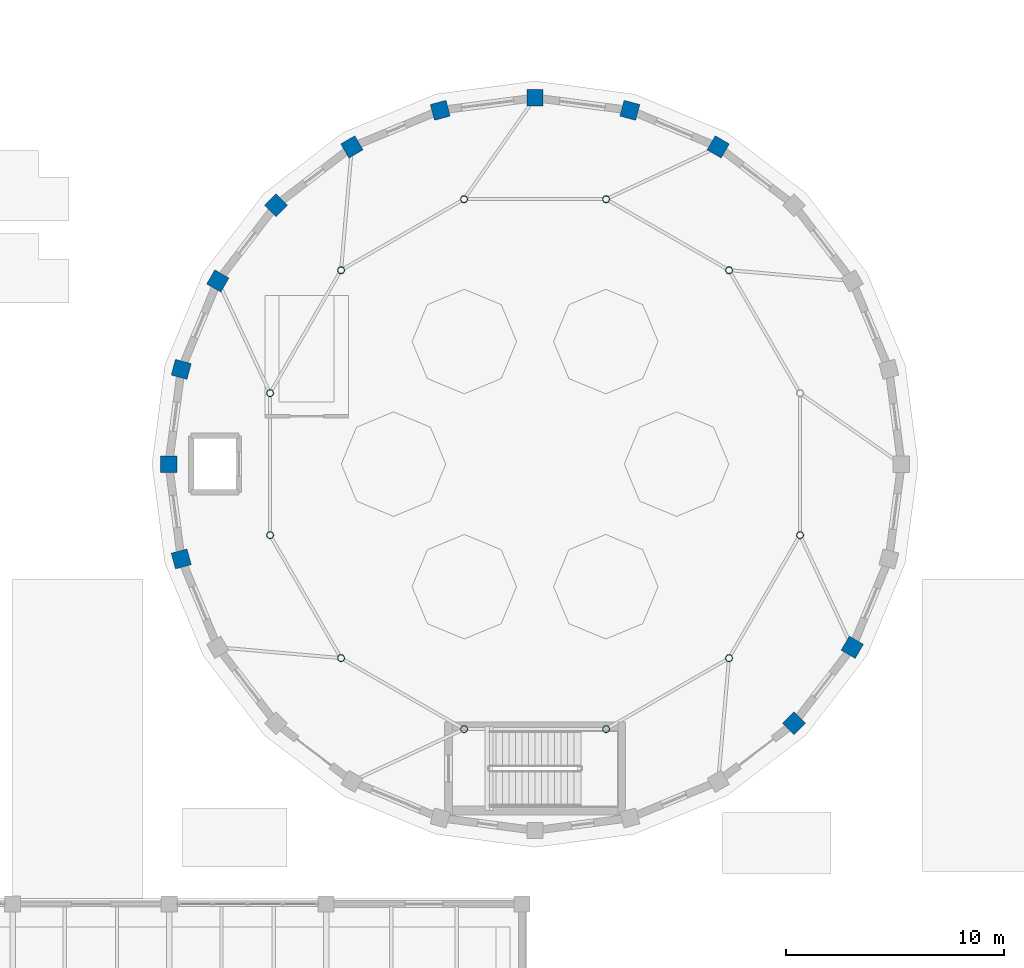
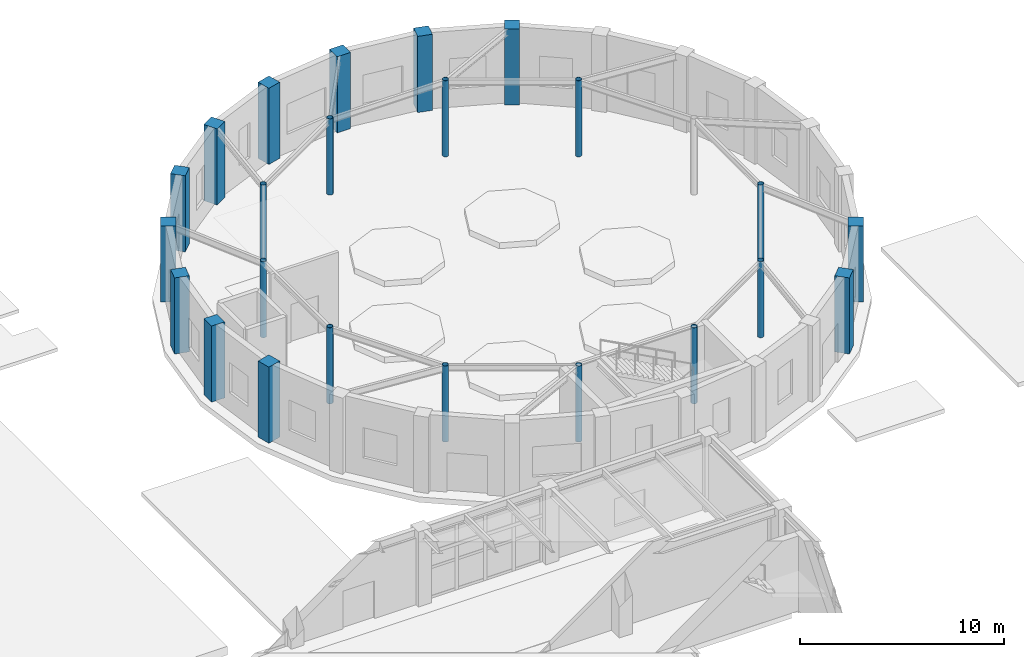
# One storey, part 2 of 39: 23 columns.
"""IFC4 building model written with IfcOpenShell, lengths in metres."""

import ifcopenshell
import ifcopenshell.guid

model = None  # the IFC model being written
_history = None  # IfcOwnerHistory: only IFC2X3 demands one
_inside = {}  # id of a spatial element -> (the spatial element, [elements in it])
_under = {}  # id of a project, library or spatial element -> (it, [spatial elements below it])
_declared = {}  # id of a project -> (the project, [libraries it declares])
_typed = {}  # id of a type object -> (the type object, [elements of that type])
_made_of = {}  # id of a material, layer set ... -> (it, [elements and type objects made of it])


def new_model(schema):
    """Start an empty IFC model of exactly this schema.

    Asked for "IFC4X3", IfcOpenShell would pick the latest addendum, in which some entities
    have other attributes; the version numbers below select the first issue.
    IFC2X3 requires an IfcOwnerHistory on every rooted entity: one is made here for all.
    """
    global model, _history
    if schema == "IFC4X3":
        model = ifcopenshell.file(schema_version=(4, 3, 0, 0))
    else:
        model = ifcopenshell.file(schema=schema)
    _inside.clear()
    _under.clear()
    _declared.clear()
    _typed.clear()
    _made_of.clear()
    _history = None
    if model.schema == "IFC2X3":
        org = make("IfcOrganization", Name="unknown")
        user = make(
            "IfcPersonAndOrganization",
            ThePerson=make("IfcPerson", FamilyName="unknown"),
            TheOrganization=org,
        )
        app = make(
            "IfcApplication",
            ApplicationDeveloper=org,
            Version="unknown",
            ApplicationFullName="unknown",
            ApplicationIdentifier="unknown",
        )
        _history = make(
            "IfcOwnerHistory",
            OwningUser=user,
            OwningApplication=app,
            ChangeAction="ADDED",
            CreationDate=0,
        )
    return model


def make(cls, **values):
    """One entity of the class cls with the attributes given. An attribute that is None is left unset."""
    return model.create_entity(
        cls, **{name: value for name, value in values.items() if value is not None}
    )


def rooted(cls, **values):
    """An entity with a GlobalId (a new one), such as an element, a storey or a relation."""
    return make(cls, GlobalId=ifcopenshell.guid.new(), OwnerHistory=_history, **values)


def si_unit(unit_type, name, prefix=None):
    """IfcSIUnit, for example si_unit("LENGTHUNIT", "METRE", prefix="MILLI")."""
    return make("IfcSIUnit", UnitType=unit_type, Prefix=prefix, Name=name)


def assignment(units):
    """IfcUnitAssignment: the units of a project."""
    return None if units is None else make("IfcUnitAssignment", Units=units)


def point(xyz):
    """IfcCartesianPoint."""
    return None if xyz is None else make("IfcCartesianPoint", Coordinates=xyz)


def direction(xyz):
    """IfcDirection."""
    return None if xyz is None else make("IfcDirection", DirectionRatios=xyz)


def frame(location, z_axis=None, x_axis=None):
    """IfcAxis2Placement3D, a coordinate frame: its origin and axes. An axis left out is left unset."""
    return make(
        "IfcAxis2Placement3D",
        Location=point(location),
        Axis=direction(z_axis),
        RefDirection=direction(x_axis),
    )


def frame_2d(location, x_axis=None):
    """IfcAxis2Placement2D, a coordinate frame in the plane: its origin and x axis."""
    return make(
        "IfcAxis2Placement2D", Location=point(location), RefDirection=direction(x_axis)
    )


def origin():
    """The frame at (0, 0, 0) with its axes left unset."""
    return frame((0.0, 0.0, 0.0))


def origin_2d():
    """The frame at (0, 0) in the plane with its x axis left unset."""
    return frame_2d((0.0, 0.0))


def place(relative_to, where):
    """IfcLocalPlacement: puts the frame where relative to a parent placement (None: the world)."""
    return make(
        "IfcLocalPlacement", PlacementRelTo=relative_to, RelativePlacement=where
    )


def context(
    kind, dimensions, precision=None, world=None, true_north=None, identifier=None
):
    """IfcGeometricRepresentationContext, for example the 3D "Model" context."""
    return make(
        "IfcGeometricRepresentationContext",
        ContextIdentifier=identifier,
        ContextType=kind,
        CoordinateSpaceDimension=dimensions,
        Precision=precision,
        WorldCoordinateSystem=world,
        TrueNorth=true_north,
    )


def subcontext(parent, identifier, kind, view, scale=None):
    """IfcGeometricRepresentationSubContext, for example "Body" below "Model"."""
    return make(
        "IfcGeometricRepresentationSubContext",
        ContextIdentifier=identifier,
        ContextType=kind,
        ParentContext=parent,
        TargetScale=scale,
        TargetView=view,
    )


def project(units=None, contexts=None):
    """IfcProject with its units and contexts."""
    return rooted(
        "IfcProject",
        Name="project",
        RepresentationContexts=contexts,
        UnitsInContext=assignment(units),
    )


def spatial(cls, under=None, at=None, **own):
    """A site, building, storey or space (cls), placed at a placement, below another one or the project."""
    s = rooted(cls, ObjectPlacement=at, **own)
    if under is not None:
        _under.setdefault(under.id(), (under, []))[1].append(s)
    return s


def profile(cls, at=None, kind="AREA", **sizes):
    """A parametric profile (cls). Its sizes go by their IFC names, for example OverallWidth=200.0."""
    return make(cls, ProfileType=kind, Position=at, **sizes)


def rectangle(**sizes):
    """IfcRectangleProfileDef."""
    return profile("IfcRectangleProfileDef", **sizes)


def hollow_circle(**sizes):
    """IfcCircleHollowProfileDef."""
    return profile("IfcCircleHollowProfileDef", **sizes)


def extrude(swept, where, along, depth):
    """IfcExtrudedAreaSolid: the profile swept, set in the frame where, extruded along a direction by depth."""
    return make(
        "IfcExtrudedAreaSolid",
        SweptArea=swept,
        Position=where,
        ExtrudedDirection=direction(along),
        Depth=depth,
    )


def shape(context_of_items, identifier, shape_type, items):
    """IfcShapeRepresentation: the items that make up one representation, for example the "Body"."""
    return make(
        "IfcShapeRepresentation",
        ContextOfItems=context_of_items,
        RepresentationIdentifier=identifier,
        RepresentationType=shape_type,
        Items=items,
    )


def material(Name=None, Category=None):
    """IfcMaterial."""
    return make("IfcMaterial", Name=Name, Category=Category)


def material_profile(
    of_material, cross_section, Name=None, Category=None, Priority=None
):
    """IfcMaterialProfile: a cross section and its material."""
    return make(
        "IfcMaterialProfile",
        Name=Name,
        Material=of_material,
        Profile=cross_section,
        Priority=Priority,
        Category=Category,
    )


def profile_set(profiles, Name=None, composite=None):
    """IfcMaterialProfileSet."""
    return make(
        "IfcMaterialProfileSet",
        Name=Name,
        MaterialProfiles=profiles,
        CompositeProfile=composite,
    )


def made_of(thing, what):
    """Note that an element or type object is made of a material, layer set ...; save() writes the relation."""
    if what is not None:
        _made_of.setdefault(what.id(), (what, []))[1].append(thing)
    return thing


def type_object(cls, material=None, **own):
    """A type object (cls), such as IfcWallType, which elements share."""
    return made_of(rooted(cls, **own), material)


def element(
    cls,
    number,
    at=None,
    inside=None,
    cuts=None,
    type_object=None,
    material=None,
    context=None,
    identifier="Body",
    shape_type=None,
    held_by="IfcProductDefinitionShape",
    body=None,
    shapes=None,
    **own,
):
    """One element of the class cls, such as IfcWall. Its Tag is "e" and its number.

    at: its placement. inside: the storey or other place that contains it. cuts: it is an
    opening in that element (IfcRelVoidsElement). A single representation is given by context,
    identifier, shape_type and body (its items); several are given by shapes. held_by: the class
    of the entity that holds the representations. save() writes the other relations.
    """
    e = rooted(cls, Tag="e%d" % number, ObjectPlacement=at, **own)
    if body is not None:
        shapes = [shape(context, identifier, shape_type, body)]
    if shapes is not None:
        e.Representation = make(held_by, Representations=shapes)
    if inside is not None:
        _inside.setdefault(inside.id(), (inside, []))[1].append(e)
    if cuts is not None:
        rooted(
            "IfcRelVoidsElement", RelatingBuildingElement=cuts, RelatedOpeningElement=e
        )
    if type_object is not None:
        _typed.setdefault(type_object.id(), (type_object, []))[1].append(e)
    return made_of(e, material)


def aggregate(whole, parts):
    """IfcRelAggregates: a whole, such as a stair, and the parts it consists of."""
    return rooted("IfcRelAggregates", RelatingObject=whole, RelatedObjects=parts)


def save(model, path):
    """Write the relations noted so far, then the file.

    IfcRelAggregates (storeys below a building ...), IfcRelContainedInSpatialStructure (elements
    in a storey), IfcRelDefinesByType, IfcRelAssociatesMaterial and IfcRelDeclares: one each for
    every whole, place, type object, material and project.
    """
    for whole, parts in _under.values():
        aggregate(whole, parts)
    for where, things in _inside.values():
        rooted(
            "IfcRelContainedInSpatialStructure",
            RelatedElements=things,
            RelatingStructure=where,
        )
    for kind, things in _typed.values():
        rooted("IfcRelDefinesByType", RelatedObjects=things, RelatingType=kind)
    for what, things in _made_of.values():
        rooted("IfcRelAssociatesMaterial", RelatedObjects=things, RelatingMaterial=what)
    for by, libraries in _declared.values():
        rooted("IfcRelDeclares", RelatingContext=by, RelatedDefinitions=libraries)
    model.write(path)


model = new_model("IFC4")

# Units and contexts
model_context = context("Model", 3, precision=1e-05, world=origin(), true_north=direction((0.0, 1.0)))
body_context = subcontext(model_context, "Body", "Model", "MODEL_VIEW")
ifc_project = project(units=[si_unit("LENGTHUNIT", "METRE"), si_unit("AREAUNIT", "SQUARE_METRE"), si_unit("VOLUMEUNIT", "CUBIC_METRE"), si_unit("PLANEANGLEUNIT", "RADIAN"), si_unit("MASSUNIT", "GRAM", prefix="KILO")], contexts=[model_context])

# Site, building, storey
site_placement = place(None, origin())
site = spatial("IfcSite", under=ifc_project, at=site_placement, CompositionType="ELEMENT")
building_placement = place(site_placement, origin())
building = spatial("IfcBuilding", under=site, at=building_placement, Name="Kandorven Conservatory and Botanical Research Centre", CompositionType="ELEMENT")
storey_placement = place(building_placement, origin())
storey = spatial("IfcBuildingStorey", under=building, at=storey_placement, Name="L00", CompositionType="ELEMENT", Elevation=0.0)

# Columns
ifc_material_1 = material(Name="Concrete C40/50 (M50)", Category="concrete")
ifc_material_profile_1 = material_profile(ifc_material_1, rectangle(XDim=0.75, YDim=0.75, at=origin_2d()))
ifc_profile_set_1 = profile_set([ifc_material_profile_1], Name="Concrete C40/50 (M50)")
column_type_1 = type_object("IfcColumnType", Name="Col_DC-01", PredefinedType="COLUMN", material=ifc_profile_set_1)
for number, where, z_axis, x_axis, name in (
    (1, (96.012451171875, 62.370849609375, 0.0), (0.0, 0.0, 1.0), (0.5, 0.866025403784, 0.0), "Conservatory drum radial pier DC-01 L00 R05"),
    (2, (91.95458984375, 64.0517578125, 0.0), (0.0, 0.0, 1.0), (0.258819045103, 0.965925826289, 0.0), "Conservatory drum radial pier DC-01 L00 R06"),
    (3, (87.60009765625, 64.625, 0.0), (0.0, 0.0, 1.0), (0.0, 1.0, 0.0), "Conservatory drum radial pier DC-01 L00 R07"),
    (4, (83.245361328125, 64.0517578125, 0.0), (0.0, 0.0, 1.0), (-0.258819045103, 0.965925826289, 0.0), "Conservatory drum radial pier DC-01 L00 R08"),
    (5, (79.1875, 62.370849609375, 0.0), (0.0, 0.0, 1.0), (-0.5, 0.866025403784, 0.0), "Conservatory drum radial pier DC-01 L00 R09"),
    (6, (75.702880859375, 59.697021484375, 0.0), (0.0, 0.0, 1.0), (-0.707106781187, 0.707106781187, 0.0), "Conservatory drum radial pier DC-01 L00 R10"),
    (7, (73.029052734375, 56.21240234375, 0.0), (0.0, 0.0, 1.0), (-0.866025403784, 0.5, 0.0), "Conservatory drum radial pier DC-01 L00 R11"),
    (8, (71.348388671875, 52.154541015625, 0.0), (0.0, 0.0, 1.0), (-0.965925826289, 0.258819045103, 0.0), "Conservatory drum radial pier DC-01 L00 R12"),
    (9, (70.77490234375, 47.800048828125, 0.0), (0.0, 0.0, 1.0), (-1.0, 0.0, 0.0), "Conservatory drum radial pier DC-01 L00 R13"),
    (10, (71.348388671875, 43.4453125, 0.0), (0.0, 0.0, 1.0), (-0.965925826289, -0.258819045103, 0.0), "Conservatory drum radial pier DC-01 L00 R14"),
    (11, (99.4970703125, 35.90283203125, 0.0), (0.0, 0.0, 1.0), (0.707106781187, -0.707106781187, 0.0), "Conservatory drum radial pier DC-01 L00 R22"),
    (12, (102.1708984375, 39.387451171875, 0.0), (0.0, 0.0, 1.0), (0.866025403784, -0.5, 0.0), "Conservatory drum radial pier DC-01 L00 R23"),
):
    element("IfcColumn", number, at=place(storey_placement, frame(where, z_axis=z_axis, x_axis=x_axis)), inside=storey, type_object=column_type_1, Name=name, PredefinedType="COLUMN", context=body_context, shape_type="SweptSolid", body=[
        extrude(rectangle(XDim=0.75, YDim=0.75, at=origin_2d()), origin(), (0.0, 0.0, 1.0), 4.550048828125),
    ])
ifc_material_2 = material(Name="Steel S355 (IS 2062 E350)", Category="steel")
ifc_material_profile_2 = material_profile(ifc_material_2, hollow_circle(Radius=0.161865234375, WallThickness=0.01611328125, at=origin_2d()))
ifc_profile_set_2 = profile_set([ifc_material_profile_2], Name="Steel S355 (IS 2062 E350)")
column_type_2 = type_object("IfcColumnType", Name="Col_WC-01", PredefinedType="COLUMN", material=ifc_profile_set_2)
for number, where, z_axis, x_axis, name in (
    (13, (96.509521484375, 56.70947265625, 0.0), (0.0, 0.0, 1.0), (1.0, 0.0, 0.0), "Conservatory canopy walkway column WC-01 L00 W02"),
    (14, (90.861083984375, 59.970703125, 0.0), (0.0, 0.0, 1.0), (1.0, 0.0, 0.0), "Conservatory canopy walkway column WC-01 L00 W03"),
    (15, (84.3388671875, 59.970703125, 0.0), (0.0, 0.0, 1.0), (1.0, 0.0, 0.0), "Conservatory canopy walkway column WC-01 L00 W04"),
    (16, (78.6904296875, 56.70947265625, 0.0), (0.0, 0.0, 1.0), (1.0, 0.0, 0.0), "Conservatory canopy walkway column WC-01 L00 W05"),
    (17, (75.42919921875, 51.06103515625, 0.0), (0.0, 0.0, 1.0), (1.0, 0.0, 0.0), "Conservatory canopy walkway column WC-01 L00 W06"),
    (18, (75.42919921875, 44.538818359375, 0.0), (0.0, 0.0, 1.0), (1.0, 0.0, 0.0), "Conservatory canopy walkway column WC-01 L00 W07"),
    (19, (78.6904296875, 38.890380859375, 0.0), (0.0, 0.0, 1.0), (1.0, 0.0, 0.0), "Conservatory canopy walkway column WC-01 L00 W08"),
    (20, (84.3388671875, 35.62939453125, 0.0), (0.0, 0.0, 1.0), (1.0, 0.0, 0.0), "Conservatory canopy walkway column WC-01 L00 W09"),
    (21, (90.861083984375, 35.62939453125, 0.0), (0.0, 0.0, 1.0), (1.0, 0.0, 0.0), "Conservatory canopy walkway column WC-01 L00 W10"),
    (22, (96.509521484375, 38.890380859375, 0.0), (0.0, 0.0, 1.0), (1.0, 0.0, 0.0), "Conservatory canopy walkway column WC-01 L00 W11"),
    (23, (99.770751953125, 44.538818359375, 0.0), (0.0, 0.0, 1.0), (1.0, 0.0, 0.0), "Conservatory canopy walkway column WC-01 L00 W12"),
):
    element("IfcColumn", number, at=place(storey_placement, frame(where, z_axis=z_axis, x_axis=x_axis)), inside=storey, type_object=column_type_2, Name=name, PredefinedType="COLUMN", context=body_context, shape_type="SweptSolid", body=[
        extrude(hollow_circle(Radius=0.161865234375, WallThickness=0.01611328125, at=origin_2d()), origin(), (0.0, 0.0, 1.0), 4.550048828125),
    ])

save(model, "model.ifc")
